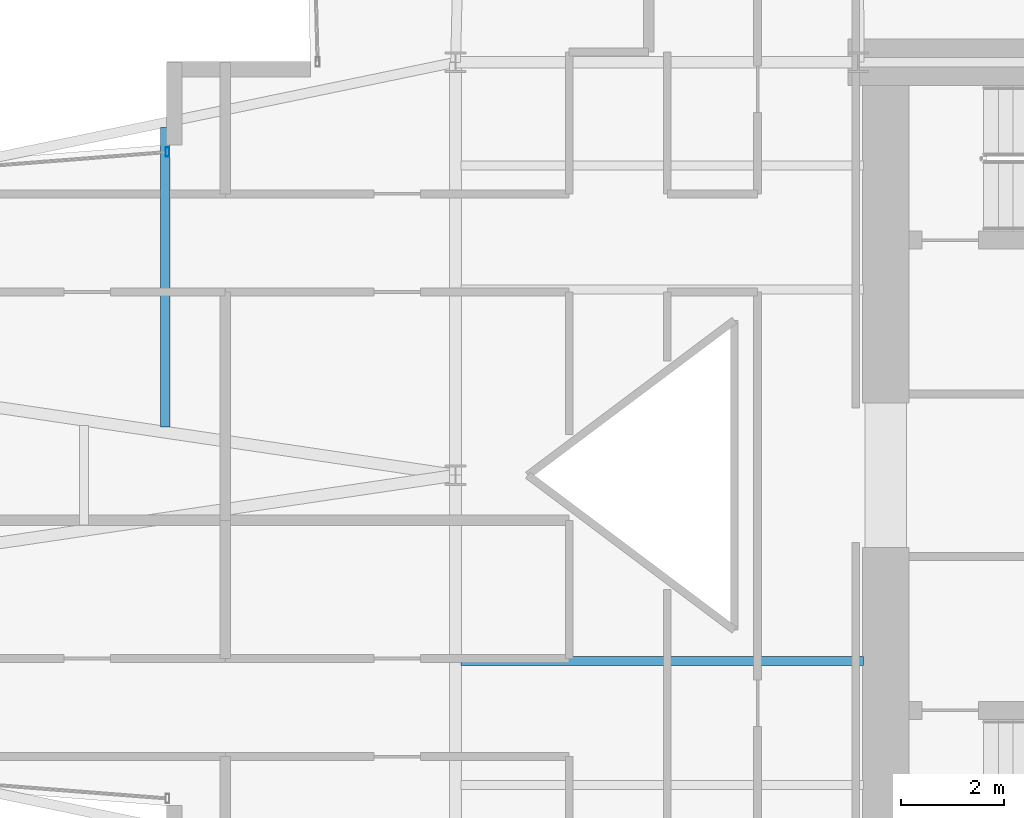
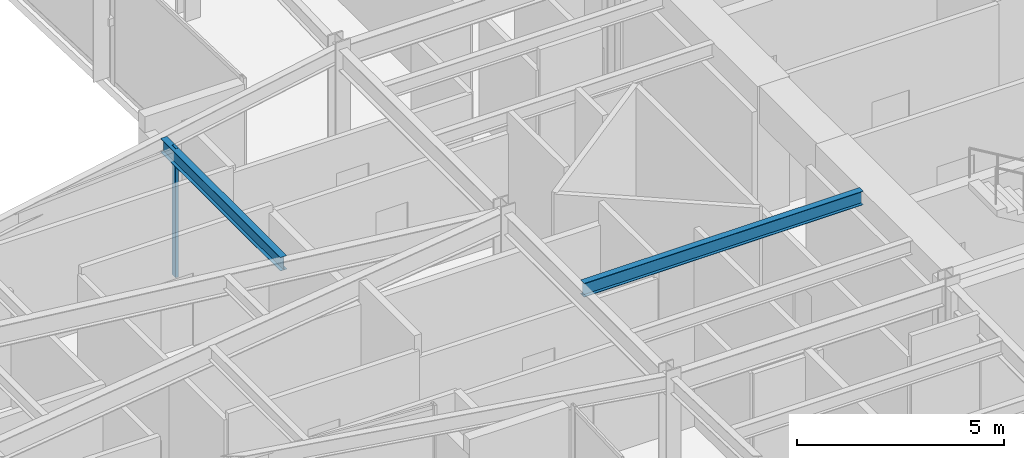
# One storey, part 12 of 29: 2 beams, 1 member, 1 element without a shape of its own.
"""IFC4 building model written with IfcOpenShell, lengths in metres."""

from ifc_helpers import new_model, si_unit, direction, frame, origin, origin_2d, place, context, subcontext, project, spatial, hollow_rectangle, i_section, extrude, material, layer, layer_set, material_profile, profile_set, type_object, element, aggregate, save


model = new_model("IFC4")

# Units and contexts
model_context = context("Model", 3, precision=1e-05, world=origin(), true_north=direction((0.0, 1.0)))
body_context = subcontext(model_context, "Body", "Model", "MODEL_VIEW")
ifc_project = project(units=[si_unit("LENGTHUNIT", "METRE"), si_unit("AREAUNIT", "SQUARE_METRE"), si_unit("VOLUMEUNIT", "CUBIC_METRE"), si_unit("PLANEANGLEUNIT", "RADIAN"), si_unit("MASSUNIT", "GRAM", prefix="KILO")], contexts=[model_context])

# Site, building, storey
site_placement = place(None, origin())
site = spatial("IfcSite", under=ifc_project, at=site_placement, CompositionType="ELEMENT")
building_placement = place(site_placement, origin())
building = spatial("IfcBuilding", under=site, at=building_placement, Name="Veymaron Broadcast Tower", CompositionType="ELEMENT")
storey_placement = place(building_placement, frame((0.0, 0.0, 62.10009765625)))
storey = spatial("IfcBuildingStorey", under=building, at=storey_placement, Name="L13", CompositionType="ELEMENT", Elevation=62.10009765625)

# Beams
ifc_material_1 = material(Name="Structural steel ASTM A992 Gr 50", Category="steel")
ifc_material_profile_1 = material_profile(ifc_material_1, i_section(OverallWidth=0.177978515625, OverallDepth=0.406982421875, WebThickness=0.0078125, FlangeThickness=0.0126953125, at=origin_2d()), Name="W410X60")
ifc_profile_set_1 = profile_set([ifc_material_profile_1], Name="Structural steel ASTM A992 Gr 50")
beam_type = type_object("IfcBeamType", Name="BM-JS1", PredefinedType="JOIST", material=ifc_profile_set_1)
beam_1_placement = place(storey_placement, frame((25.57421875, 24.933837890625, 3.6064453125), z_axis=(0.0, 1.0, 0.0), x_axis=(-1.0, 0.0, 0.0)))
element("IfcBeam", 1, at=beam_1_placement, inside=storey, type_object=beam_type, Name="L13 Arm-A secondary joist 2N", PredefinedType="JOIST", context=body_context, shape_type="SweptSolid", body=[
    extrude(i_section(OverallWidth=0.177978515625, OverallDepth=0.406982421875, WebThickness=0.0078125, FlangeThickness=0.0126953125, at=origin_2d()), origin(), (0.0, 0.0, 1.0), 5.800048828125),
])
beam_2_placement = place(storey_placement, frame((31.300048828125, 20.39990234375, 3.6064453125), z_axis=(1.0, 0.0, 0.0), x_axis=(0.0, 1.0, 0.0)))
element("IfcBeam", 2, at=beam_2_placement, inside=storey, type_object=beam_type, Name="L13 Hub secondary joist 2", PredefinedType="JOIST", context=body_context, shape_type="SweptSolid", body=[
    extrude(i_section(OverallWidth=0.177978515625, OverallDepth=0.406982421875, WebThickness=0.0078125, FlangeThickness=0.0126953125, at=origin_2d()), origin(), (0.0, 0.0, 1.0), 7.800048828125),
])

# Curtain wall, member
ifc_material_2 = material(Name="Anodised aluminium AA 6063-T6 and laminated low-E dark glass", Category="aluminium")
ifc_layer = layer(ifc_material_2, 0.179931640625)
ifc_layer_set = layer_set([ifc_layer], Name="Anodised aluminium AA 6063-T6 and laminated low-E dark glass")
curtain_wall_type = type_object("IfcCurtainWallType", Name="CW-SYS-02", PredefinedType="NOTDEFINED", material=ifc_layer_set)
curtain_wall_placement = place(storey_placement, origin())
curtain_wall = element("IfcCurtainWall", 3, at=curtain_wall_placement, inside=storey, type_object=curtain_wall_type, Name="L13 dark-glass curtain wall CW-L13-E11-1", PredefinedType="NOTDEFINED")
ifc_material_3 = material(Name="Anodised aluminium AA 6063-T6", Category="aluminium")
ifc_material_profile_2 = material_profile(ifc_material_3, hollow_rectangle(XDim=0.074951171875, YDim=0.179931640625, WallThickness=0.0048828125, at=origin_2d()), Name="AL180X75X5")
ifc_profile_set_2 = profile_set([ifc_material_profile_2], Name="Anodised aluminium AA 6063-T6")
member_type = type_object("IfcMemberType", Name="CW-MUL-02", PredefinedType="MULLION", material=ifc_profile_set_2)
member_placement = place(storey_placement, frame((25.618896484375, 30.2607421875, 0.0), z_axis=(0.0, 0.0, 1.0), x_axis=(1.0, 0.0, 0.0)))
member = element("IfcMember", 4, at=member_placement, type_object=member_type, Name="CW-L13-E11-1 mullion 0", PredefinedType="MULLION", context=body_context, shape_type="SweptSolid", body=[
    extrude(hollow_rectangle(XDim=0.074951171875, YDim=0.179931640625, WallThickness=0.0048828125, at=origin_2d()), origin(), (0.0, 0.0, 1.0), 3.809814453125),
])
aggregate(curtain_wall, [member])

save(model, "model.ifc")
